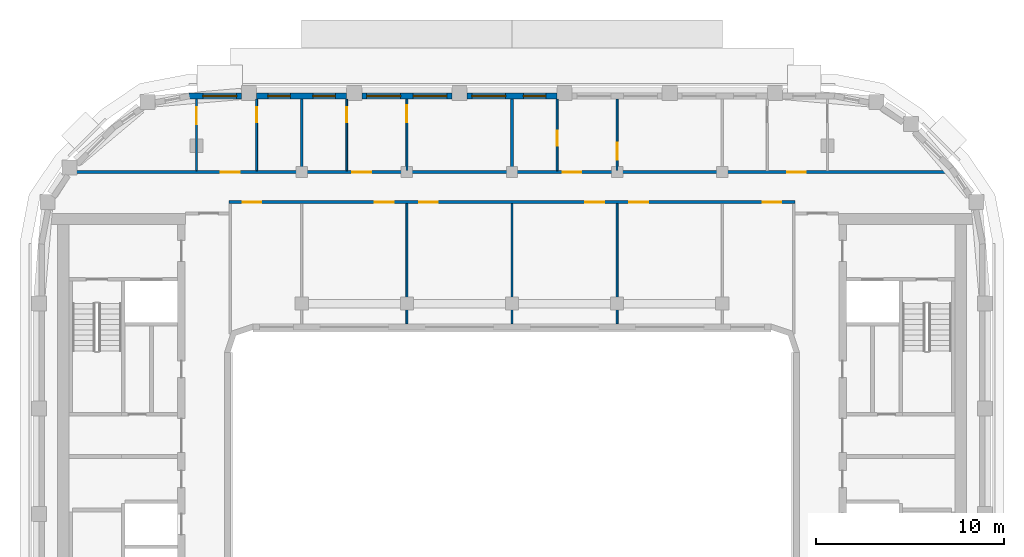
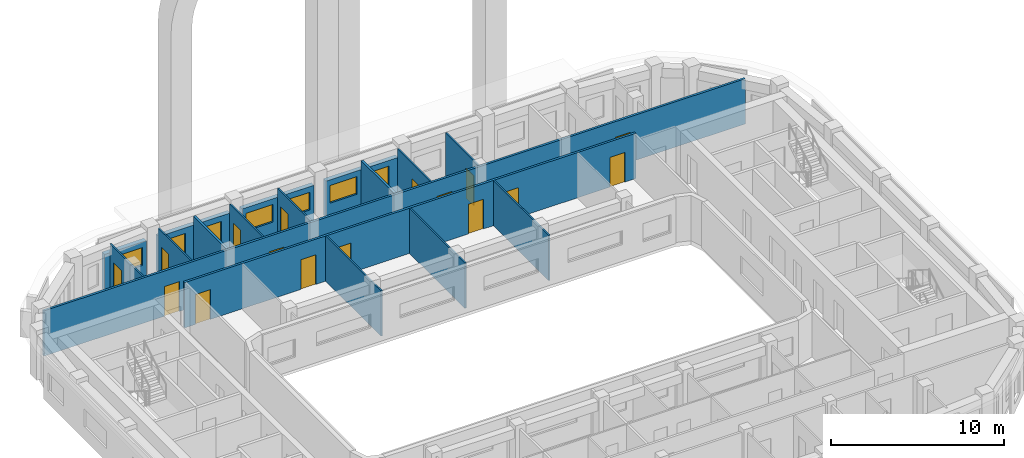
# One storey, part 7 of 18: 17 walls, 16 doors, 7 windows, 23 openings.
"""IFC4 building model written with IfcOpenShell, lengths in metres."""

from ifc_helpers import new_model, si_unit, direction, frame, frame_2d, origin, place, context, subcontext, project, spatial, rectangle, extrude, material, layer, layer_set, type_object, element, fill, save


model = new_model("IFC4")

# Units and contexts
model_context = context("Model", 3, precision=1e-05, world=origin(), true_north=direction((0.0, 1.0)))
body_context = subcontext(model_context, "Body", "Model", "MODEL_VIEW")
ifc_project = project(units=[si_unit("LENGTHUNIT", "METRE"), si_unit("AREAUNIT", "SQUARE_METRE"), si_unit("VOLUMEUNIT", "CUBIC_METRE"), si_unit("PLANEANGLEUNIT", "RADIAN"), si_unit("MASSUNIT", "GRAM", prefix="KILO")], contexts=[model_context])

# Site, building, storey
site_placement = place(None, origin())
site = spatial("IfcSite", under=ifc_project, at=site_placement, CompositionType="ELEMENT")
building_placement = place(site_placement, origin())
building = spatial("IfcBuilding", under=site, at=building_placement, Name="Kiln Ring Residences", CompositionType="ELEMENT")
storey_placement = place(building_placement, frame((0.0, 0.0, 262.699951171875)))
storey = spatial("IfcBuildingStorey", under=building, at=storey_placement, Name="L68", CompositionType="ELEMENT", Elevation=262.699951171875)

# Wall, openings, windows
ifc_material_1 = material(Name="Brick masonry, dark clay brick", Category="masonry")
ifc_layer_1 = layer(ifc_material_1, 0.300048828125)
ifc_layer_set_1 = layer_set([ifc_layer_1], Name="EW-300 BRICK WALL")
wall_type_1 = type_object("IfcWallType", Name="EW-300 BRICK WALL", PredefinedType="SOLIDWALL", material=ifc_layer_set_1)
wall_1_placement = place(storey_placement, frame((2.39990234375, 19.449951171875, 0.0), z_axis=(0.0, 0.0, 1.0), x_axis=(-1.0, 0.0, 0.0)))
wall_1 = element("IfcWall", 1, at=wall_1_placement, inside=storey, type_object=wall_type_1, Name="Facade wall L68 29", PredefinedType="SOLIDWALL", context=body_context, shape_type="SweptSolid", body=[
    extrude(rectangle(XDim=4.7998046875, YDim=0.300048828125, at=frame_2d((2.39990234375, 0.0))), origin(), (0.0, 0.0, 1.0), 2.550048828125),
])
opening_1_placement = place(wall_1_placement, frame((0.60009765625, 0.0, 0.60009765625)))
opening_1 = element("IfcOpeningElement", 2, at=opening_1_placement, cuts=wall_1, Name="Opening W1", PredefinedType="OPENING", context=body_context, shape_type="SweptSolid", body=[
    extrude(rectangle(XDim=1.199951171875, YDim=1.550048828125, at=frame_2d((0.60009765625, 0.77490234375))), frame((0.0, 0.159912109375, 0.0), z_axis=(0.0, -1.0, 0.0), x_axis=(1.0, 0.0, 0.0)), (0.0, 0.0, 1.0), 0.320068359375),
])
opening_2_placement = place(wall_1_placement, frame((2.737548828125, 0.0, 0.89990234375)))
opening_2 = element("IfcOpeningElement", 3, at=opening_2_placement, cuts=wall_1, Name="Opening W2", PredefinedType="OPENING", context=body_context, shape_type="SweptSolid", body=[
    extrude(rectangle(XDim=1.800048828125, YDim=1.25, at=frame_2d((0.89990234375, 0.625))), frame((0.0, 0.159912109375, 0.0), z_axis=(0.0, -1.0, 0.0), x_axis=(1.0, 0.0, 0.0)), (0.0, 0.0, 1.0), 0.320068359375),
])
ifc_material_2 = material(Name="Aluminium frame with double glazing", Category="aluminium")
window_type_1 = type_object("IfcWindowType", Name="WINDOW 1200 x 1550", PartitioningType="SINGLE_PANEL", PredefinedType="WINDOW", material=ifc_material_2)
window_1_placement = place(opening_1_placement, origin())
window_1 = element("IfcWindow", 4, at=window_1_placement, inside=storey, type_object=window_type_1, Name="Window L68 26", OverallHeight=1.550048828125, OverallWidth=1.199951171875, PartitioningType="SINGLE_PANEL", PredefinedType="WINDOW", context=body_context, shape_type="SweptSolid", body=[
    extrude(rectangle(XDim=1.199951171875, YDim=1.550048828125, at=frame_2d((0.60009765625, 0.77490234375))), frame((0.0, 0.030029296875, 0.0), z_axis=(0.0, -1.0, 0.0), x_axis=(1.0, 0.0, 0.0)), (0.0, 0.0, 1.0), 0.06005859375),
])
fill(opening_1, window_1)
ifc_material_3 = material(Name="Aluminium frame with double glazing", Category="aluminium")
window_type_2 = type_object("IfcWindowType", Name="WINDOW 1800 x 1250", PartitioningType="SINGLE_PANEL", PredefinedType="WINDOW", material=ifc_material_3)
window_2_placement = place(opening_2_placement, origin())
window_2 = element("IfcWindow", 5, at=window_2_placement, inside=storey, type_object=window_type_2, Name="Window L68 27", OverallHeight=1.25, OverallWidth=1.800048828125, PartitioningType="SINGLE_PANEL", PredefinedType="WINDOW", context=body_context, shape_type="SweptSolid", body=[
    extrude(rectangle(XDim=1.800048828125, YDim=1.25, at=frame_2d((0.89990234375, 0.625))), frame((0.0, 0.030029296875, 0.0), z_axis=(0.0, -1.0, 0.0), x_axis=(1.0, 0.0, 0.0)), (0.0, 0.0, 1.0), 0.06005859375),
])
fill(opening_2, window_2)

wall_2_placement = place(storey_placement, frame((-3.199951171875, 19.449951171875, 0.0), z_axis=(0.0, 0.0, 1.0), x_axis=(-1.0, 0.0, 0.0)))
wall_2 = element("IfcWall", 6, at=wall_2_placement, inside=storey, type_object=wall_type_1, Name="Facade wall L68 30", PredefinedType="SOLIDWALL", context=body_context, shape_type="SweptSolid", body=[
    extrude(rectangle(XDim=4.800048828125, YDim=0.300048828125, at=frame_2d((2.39990234375, 0.0))), origin(), (0.0, 0.0, 1.0), 2.550048828125),
])
opening_3_placement = place(wall_2_placement, frame((0.262451171875, 0.0, 0.89990234375)))
opening_3 = element("IfcOpeningElement", 7, at=opening_3_placement, cuts=wall_2, Name="Opening W2", PredefinedType="OPENING", context=body_context, shape_type="SweptSolid", body=[
    extrude(rectangle(XDim=1.800048828125, YDim=1.25, at=frame_2d((0.89990234375, 0.625))), frame((0.0, 0.159912109375, 0.0), z_axis=(0.0, -1.0, 0.0), x_axis=(1.0, 0.0, 0.0)), (0.0, 0.0, 1.0), 0.320068359375),
])
opening_4_placement = place(wall_2_placement, frame((2.737548828125, 0.0, 0.89990234375)))
opening_4 = element("IfcOpeningElement", 8, at=opening_4_placement, cuts=wall_2, Name="Opening W2", PredefinedType="OPENING", context=body_context, shape_type="SweptSolid", body=[
    extrude(rectangle(XDim=1.800048828125, YDim=1.25, at=frame_2d((0.89990234375, 0.625))), frame((0.0, 0.159912109375, 0.0), z_axis=(0.0, -1.0, 0.0), x_axis=(1.0, 0.0, 0.0)), (0.0, 0.0, 1.0), 0.320068359375),
])
window_3_placement = place(opening_3_placement, origin())
window_3 = element("IfcWindow", 9, at=window_3_placement, inside=storey, type_object=window_type_2, Name="Window L68 28", OverallHeight=1.25, OverallWidth=1.800048828125, PartitioningType="SINGLE_PANEL", PredefinedType="WINDOW", context=body_context, shape_type="SweptSolid", body=[
    extrude(rectangle(XDim=1.800048828125, YDim=1.25, at=frame_2d((0.89990234375, 0.625))), frame((0.0, 0.030029296875, 0.0), z_axis=(0.0, -1.0, 0.0), x_axis=(1.0, 0.0, 0.0)), (0.0, 0.0, 1.0), 0.06005859375),
])
fill(opening_3, window_3)
window_4_placement = place(opening_4_placement, origin())
window_4 = element("IfcWindow", 10, at=window_4_placement, inside=storey, type_object=window_type_2, Name="Window L68 29", OverallHeight=1.25, OverallWidth=1.800048828125, PartitioningType="SINGLE_PANEL", PredefinedType="WINDOW", context=body_context, shape_type="SweptSolid", body=[
    extrude(rectangle(XDim=1.800048828125, YDim=1.25, at=frame_2d((0.89990234375, 0.625))), frame((0.0, 0.030029296875, 0.0), z_axis=(0.0, -1.0, 0.0), x_axis=(1.0, 0.0, 0.0)), (0.0, 0.0, 1.0), 0.06005859375),
])
fill(opening_4, window_4)

wall_3_placement = place(storey_placement, frame((-8.800048828125, 19.449951171875, 0.0), z_axis=(0.0, 0.0, 1.0), x_axis=(-1.0, 0.0, 0.0)))
wall_3 = element("IfcWall", 11, at=wall_3_placement, inside=storey, type_object=wall_type_1, Name="Facade wall L68 31", PredefinedType="SOLIDWALL", context=body_context, shape_type="SweptSolid", body=[
    extrude(rectangle(XDim=4.800048828125, YDim=0.300048828125, at=frame_2d((2.39990234375, 0.0))), origin(), (0.0, 0.0, 1.0), 2.550048828125),
])
opening_5_placement = place(wall_3_placement, frame((0.60009765625, 0.0, 0.60009765625)))
opening_5 = element("IfcOpeningElement", 12, at=opening_5_placement, cuts=wall_3, Name="Opening W1", PredefinedType="OPENING", context=body_context, shape_type="SweptSolid", body=[
    extrude(rectangle(XDim=1.199951171875, YDim=1.550048828125, at=frame_2d((0.60009765625, 0.77490234375))), frame((0.0, 0.159912109375, 0.0), z_axis=(0.0, -1.0, 0.0), x_axis=(1.0, 0.0, 0.0)), (0.0, 0.0, 1.0), 0.320068359375),
])
opening_6_placement = place(wall_3_placement, frame((3.0, 0.0, 0.60009765625)))
opening_6 = element("IfcOpeningElement", 13, at=opening_6_placement, cuts=wall_3, Name="Opening W1", PredefinedType="OPENING", context=body_context, shape_type="SweptSolid", body=[
    extrude(rectangle(XDim=1.199951171875, YDim=1.550048828125, at=frame_2d((0.60009765625, 0.77490234375))), frame((0.0, 0.159912109375, 0.0), z_axis=(0.0, -1.0, 0.0), x_axis=(1.0, 0.0, 0.0)), (0.0, 0.0, 1.0), 0.320068359375),
])
window_5_placement = place(opening_5_placement, origin())
window_5 = element("IfcWindow", 14, at=window_5_placement, inside=storey, type_object=window_type_1, Name="Window L68 30", OverallHeight=1.550048828125, OverallWidth=1.199951171875, PartitioningType="SINGLE_PANEL", PredefinedType="WINDOW", context=body_context, shape_type="SweptSolid", body=[
    extrude(rectangle(XDim=1.199951171875, YDim=1.550048828125, at=frame_2d((0.60009765625, 0.77490234375))), frame((0.0, 0.030029296875, 0.0), z_axis=(0.0, -1.0, 0.0), x_axis=(1.0, 0.0, 0.0)), (0.0, 0.0, 1.0), 0.06005859375),
])
fill(opening_5, window_5)
window_6_placement = place(opening_6_placement, origin())
window_6 = element("IfcWindow", 15, at=window_6_placement, inside=storey, type_object=window_type_1, Name="Window L68 31", OverallHeight=1.550048828125, OverallWidth=1.199951171875, PartitioningType="SINGLE_PANEL", PredefinedType="WINDOW", context=body_context, shape_type="SweptSolid", body=[
    extrude(rectangle(XDim=1.199951171875, YDim=1.550048828125, at=frame_2d((0.60009765625, 0.77490234375))), frame((0.0, 0.030029296875, 0.0), z_axis=(0.0, -1.0, 0.0), x_axis=(1.0, 0.0, 0.0)), (0.0, 0.0, 1.0), 0.06005859375),
])
fill(opening_6, window_6)

# Wall, opening, window
wall_4_placement = place(storey_placement, frame((-14.39990234375, 19.449951171875, 0.0), z_axis=(0.0, 0.0, 1.0), x_axis=(-1.0, 0.0, 0.0)))
wall_4 = element("IfcWall", 16, at=wall_4_placement, inside=storey, type_object=wall_type_1, Name="Facade wall L68 32", PredefinedType="SOLIDWALL", context=body_context, shape_type="SweptSolid", body=[
    extrude(rectangle(XDim=2.800048828125, YDim=0.300048828125, at=frame_2d((1.39990234375, 0.0))), origin(), (0.0, 0.0, 1.0), 2.550048828125),
])
opening_7_placement = place(wall_4_placement, frame((0.262451171875, 0.0, 0.89990234375)))
opening_7 = element("IfcOpeningElement", 17, at=opening_7_placement, cuts=wall_4, Name="Opening W2", PredefinedType="OPENING", context=body_context, shape_type="SweptSolid", body=[
    extrude(rectangle(XDim=1.800048828125, YDim=1.25, at=frame_2d((0.89990234375, 0.625))), frame((0.0, 0.159912109375, 0.0), z_axis=(0.0, -1.0, 0.0), x_axis=(1.0, 0.0, 0.0)), (0.0, 0.0, 1.0), 0.320068359375),
])
window_7_placement = place(opening_7_placement, origin())
window_7 = element("IfcWindow", 18, at=window_7_placement, inside=storey, type_object=window_type_2, Name="Window L68 32", OverallHeight=1.25, OverallWidth=1.800048828125, PartitioningType="SINGLE_PANEL", PredefinedType="WINDOW", context=body_context, shape_type="SweptSolid", body=[
    extrude(rectangle(XDim=1.800048828125, YDim=1.25, at=frame_2d((0.89990234375, 0.625))), frame((0.0, 0.030029296875, 0.0), z_axis=(0.0, -1.0, 0.0), x_axis=(1.0, 0.0, 0.0)), (0.0, 0.0, 1.0), 0.06005859375),
])
fill(opening_7, window_7)

# Wall, opening, door
ifc_material_4 = material(Name="Gypsum board on steel studs", Category="steel")
ifc_layer_2 = layer(ifc_material_4, 0.10009765625)
ifc_layer_set_2 = layer_set([ifc_layer_2], Name="PARTITION-100")
wall_type_2 = type_object("IfcWallType", Name="PARTITION-100", PredefinedType="PARTITIONING", material=ifc_layer_set_2)
wall_5_placement = place(storey_placement, frame((-16.800048828125, 15.47509765625, 0.0), z_axis=(0.0, 0.0, 1.0), x_axis=(0.0, 1.0, 0.0)))
wall_5 = element("IfcWall", 19, at=wall_5_placement, inside=storey, type_object=wall_type_2, Name="Partition 010", PredefinedType="PARTITIONING", context=body_context, shape_type="SweptSolid", body=[
    extrude(rectangle(XDim=3.804931640625, YDim=0.10009765625, at=frame_2d((1.90234375, 0.0))), origin(), (0.0, 0.0, 1.0), 3.199951171875),
])
opening_8_placement = place(wall_5_placement, frame((2.485107421875, 0.0, 0.0)))
opening_8 = element("IfcOpeningElement", 20, at=opening_8_placement, cuts=wall_5, Name="Opening L68-D013", PredefinedType="OPENING", context=body_context, shape_type="SweptSolid", body=[
    extrude(rectangle(XDim=0.89990234375, YDim=2.10009765625, at=frame_2d((0.449951171875, 1.050048828125))), frame((0.0, 0.06005859375, 0.0), z_axis=(0.0, -1.0, 0.0), x_axis=(1.0, 0.0, 0.0)), (0.0, 0.0, 1.0), 0.1201171875),
])
ifc_material_5 = material(Name="Timber door leaf", Category="wood")
door_type_1 = type_object("IfcDoorType", Name="FLAT-DOOR-900-PL", OperationType="SINGLE_SWING_LEFT", PredefinedType="DOOR", material=ifc_material_5)
door_1_placement = place(opening_8_placement, origin())
door_1 = element("IfcDoor", 21, at=door_1_placement, inside=storey, type_object=door_type_1, Name="Door L68-D013", OperationType="SINGLE_SWING_LEFT", OverallHeight=2.10009765625, OverallWidth=0.89990234375, PredefinedType="DOOR", context=body_context, shape_type="SweptSolid", body=[
    extrude(rectangle(XDim=0.89990234375, YDim=2.10009765625, at=frame_2d((0.449951171875, 1.050048828125))), frame((0.0, 0.02490234375, 0.0), z_axis=(0.0, -1.0, 0.0), x_axis=(1.0, 0.0, 0.0)), (0.0, 0.0, 1.0), 0.050048828125),
])
fill(opening_8, door_1)

wall_6_placement = place(storey_placement, frame((-13.60009765625, 15.47509765625, 0.0), z_axis=(0.0, 0.0, 1.0), x_axis=(0.0, 1.0, 0.0)))
wall_6 = element("IfcWall", 22, at=wall_6_placement, inside=storey, type_object=wall_type_2, Name="Partition 013", PredefinedType="PARTITIONING", context=body_context, shape_type="SweptSolid", body=[
    extrude(rectangle(XDim=3.804931640625, YDim=0.10009765625, at=frame_2d((1.90234375, 0.0))), origin(), (0.0, 0.0, 1.0), 3.199951171875),
])
opening_9_placement = place(wall_6_placement, frame((2.575927734375, 0.0, 0.0)))
opening_9 = element("IfcOpeningElement", 23, at=opening_9_placement, cuts=wall_6, Name="Opening L68-D012", PredefinedType="OPENING", context=body_context, shape_type="SweptSolid", body=[
    extrude(rectangle(XDim=0.800048828125, YDim=2.10009765625, at=frame_2d((0.39990234375, 1.050048828125))), frame((0.0, 0.06005859375, 0.0), z_axis=(0.0, -1.0, 0.0), x_axis=(1.0, 0.0, 0.0)), (0.0, 0.0, 1.0), 0.1201171875),
])
ifc_material_6 = material(Name="Timber door leaf", Category="wood")
door_type_2 = type_object("IfcDoorType", Name="FLAT-DOOR-800-PL", OperationType="SINGLE_SWING_LEFT", PredefinedType="DOOR", material=ifc_material_6)
door_2_placement = place(opening_9_placement, origin())
door_2 = element("IfcDoor", 24, at=door_2_placement, inside=storey, type_object=door_type_2, Name="Door L68-D012", OperationType="SINGLE_SWING_RIGHT", OverallHeight=2.10009765625, OverallWidth=0.800048828125, PredefinedType="DOOR", context=body_context, shape_type="SweptSolid", body=[
    extrude(rectangle(XDim=0.800048828125, YDim=2.10009765625, at=frame_2d((0.39990234375, 1.050048828125))), frame((0.0, 0.02490234375, 0.0), z_axis=(0.0, -1.0, 0.0), x_axis=(1.0, 0.0, 0.0)), (0.0, 0.0, 1.0), 0.050048828125),
])
fill(opening_9, door_2)

wall_7_placement = place(storey_placement, frame((-8.800048828125, 15.47509765625, 0.0), z_axis=(0.0, 0.0, 1.0), x_axis=(0.0, 1.0, 0.0)))
wall_7 = element("IfcWall", 25, at=wall_7_placement, inside=storey, type_object=wall_type_2, Name="Partition 019", PredefinedType="PARTITIONING", context=body_context, shape_type="SweptSolid", body=[
    extrude(rectangle(XDim=3.804931640625, YDim=0.10009765625, at=frame_2d((1.90234375, 0.0))), origin(), (0.0, 0.0, 1.0), 3.199951171875),
])
opening_10_placement = place(wall_7_placement, frame((2.5849609375, 0.0, 0.0)))
opening_10 = element("IfcOpeningElement", 26, at=opening_10_placement, cuts=wall_7, Name="Opening L68-D015", PredefinedType="OPENING", context=body_context, shape_type="SweptSolid", body=[
    extrude(rectangle(XDim=0.800048828125, YDim=2.10009765625, at=frame_2d((0.39990234375, 1.050048828125))), frame((0.0, 0.06005859375, 0.0), z_axis=(0.0, -1.0, 0.0), x_axis=(1.0, 0.0, 0.0)), (0.0, 0.0, 1.0), 0.1201171875),
])
door_3_placement = place(opening_10_placement, origin())
door_3 = element("IfcDoor", 27, at=door_3_placement, inside=storey, type_object=door_type_2, Name="Door L68-D015", OperationType="SINGLE_SWING_LEFT", OverallHeight=2.10009765625, OverallWidth=0.800048828125, PredefinedType="DOOR", context=body_context, shape_type="SweptSolid", body=[
    extrude(rectangle(XDim=0.800048828125, YDim=2.10009765625, at=frame_2d((0.39990234375, 1.050048828125))), frame((0.0, 0.02490234375, 0.0), z_axis=(0.0, -1.0, 0.0), x_axis=(1.0, 0.0, 0.0)), (0.0, 0.0, 1.0), 0.050048828125),
])
fill(opening_10, door_3)

# Wall
wall_8_placement = place(storey_placement, frame((-5.60009765625, 7.320068359375, 0.0), z_axis=(0.0, 0.0, 1.0), x_axis=(0.0, 1.0, 0.0)))
element("IfcWall", 28, at=wall_8_placement, inside=storey, type_object=wall_type_2, Name="Partition 021", PredefinedType="PARTITIONING", context=body_context, shape_type="SweptSolid", body=[
    extrude(rectangle(XDim=6.405029296875, YDim=0.10009765625, at=frame_2d((3.20263671875, 0.0))), origin(), (0.0, 0.0, 1.0), 3.199951171875),
])

# Wall, opening, door
wall_9_placement = place(storey_placement, frame((-5.60009765625, 15.47509765625, 0.0), z_axis=(0.0, 0.0, 1.0), x_axis=(0.0, 1.0, 0.0)))
wall_9 = element("IfcWall", 29, at=wall_9_placement, inside=storey, type_object=wall_type_2, Name="Partition 022", PredefinedType="PARTITIONING", context=body_context, shape_type="SweptSolid", body=[
    extrude(rectangle(XDim=3.804931640625, YDim=0.10009765625, at=frame_2d((1.90234375, 0.0))), origin(), (0.0, 0.0, 1.0), 3.199951171875),
])
opening_11_placement = place(wall_9_placement, frame((2.575927734375, 0.0, 0.0)))
opening_11 = element("IfcOpeningElement", 30, at=opening_11_placement, cuts=wall_9, Name="Opening L68-D016", PredefinedType="OPENING", context=body_context, shape_type="SweptSolid", body=[
    extrude(rectangle(XDim=0.89990234375, YDim=2.10009765625, at=frame_2d((0.449951171875, 1.050048828125))), frame((0.0, 0.06005859375, 0.0), z_axis=(0.0, -1.0, 0.0), x_axis=(1.0, 0.0, 0.0)), (0.0, 0.0, 1.0), 0.1201171875),
])
door_4_placement = place(opening_11_placement, origin())
door_4 = element("IfcDoor", 31, at=door_4_placement, inside=storey, type_object=door_type_1, Name="Door L68-D016", OperationType="SINGLE_SWING_RIGHT", OverallHeight=2.10009765625, OverallWidth=0.89990234375, PredefinedType="DOOR", context=body_context, shape_type="SweptSolid", body=[
    extrude(rectangle(XDim=0.89990234375, YDim=2.10009765625, at=frame_2d((0.449951171875, 1.050048828125))), frame((0.0, 0.02490234375, 0.0), z_axis=(0.0, -1.0, 0.0), x_axis=(1.0, 0.0, 0.0)), (0.0, 0.0, 1.0), 0.050048828125),
])
fill(opening_11, door_4)

# Wall
wall_10_placement = place(storey_placement, frame((0.0, 7.320068359375, 0.0), z_axis=(0.0, 0.0, 1.0), x_axis=(0.0, 1.0, 0.0)))
element("IfcWall", 32, at=wall_10_placement, inside=storey, type_object=wall_type_2, Name="Partition 028", PredefinedType="PARTITIONING", context=body_context, shape_type="SweptSolid", body=[
    extrude(rectangle(XDim=6.405029296875, YDim=0.10009765625, at=frame_2d((3.20263671875, 0.0))), origin(), (0.0, 0.0, 1.0), 3.199951171875),
])

# Wall, opening, door
wall_11_placement = place(storey_placement, frame((2.39990234375, 15.47509765625, 0.0), z_axis=(0.0, 0.0, 1.0), x_axis=(0.0, 1.0, 0.0)))
wall_11 = element("IfcWall", 33, at=wall_11_placement, inside=storey, type_object=wall_type_2, Name="Partition 032", PredefinedType="PARTITIONING", context=body_context, shape_type="SweptSolid", body=[
    extrude(rectangle(XDim=3.804931640625, YDim=0.10009765625, at=frame_2d((1.90234375, 0.0))), origin(), (0.0, 0.0, 1.0), 3.199951171875),
])
opening_12_placement = place(wall_11_placement, frame((1.3349609375, 0.0, 0.0)))
opening_12 = element("IfcOpeningElement", 34, at=opening_12_placement, cuts=wall_11, Name="Opening L68-D018", PredefinedType="OPENING", context=body_context, shape_type="SweptSolid", body=[
    extrude(rectangle(XDim=0.800048828125, YDim=2.10009765625, at=frame_2d((0.39990234375, 1.050048828125))), frame((0.0, 0.06005859375, 0.0), z_axis=(0.0, -1.0, 0.0), x_axis=(1.0, 0.0, 0.0)), (0.0, 0.0, 1.0), 0.1201171875),
])
door_5_placement = place(opening_12_placement, origin())
door_5 = element("IfcDoor", 35, at=door_5_placement, inside=storey, type_object=door_type_2, Name="Door L68-D018", OperationType="SINGLE_SWING_RIGHT", OverallHeight=2.10009765625, OverallWidth=0.800048828125, PredefinedType="DOOR", context=body_context, shape_type="SweptSolid", body=[
    extrude(rectangle(XDim=0.800048828125, YDim=2.10009765625, at=frame_2d((0.39990234375, 1.050048828125))), frame((0.0, 0.02490234375, 0.0), z_axis=(0.0, -1.0, 0.0), x_axis=(1.0, 0.0, 0.0)), (0.0, 0.0, 1.0), 0.050048828125),
])
fill(opening_12, door_5)

# Wall
wall_12_placement = place(storey_placement, frame((5.60009765625, 7.320068359375, 0.0), z_axis=(0.0, 0.0, 1.0), x_axis=(0.0, 1.0, 0.0)))
element("IfcWall", 36, at=wall_12_placement, inside=storey, type_object=wall_type_2, Name="Partition 037", PredefinedType="PARTITIONING", context=body_context, shape_type="SweptSolid", body=[
    extrude(rectangle(XDim=6.405029296875, YDim=0.10009765625, at=frame_2d((3.20263671875, 0.0))), origin(), (0.0, 0.0, 1.0), 3.199951171875),
])

# Wall, opening, door
wall_13_placement = place(storey_placement, frame((5.60009765625, 15.47509765625, 0.0), z_axis=(0.0, 0.0, 1.0), x_axis=(0.0, 1.0, 0.0)))
wall_13 = element("IfcWall", 37, at=wall_13_placement, inside=storey, type_object=wall_type_2, Name="Partition 038", PredefinedType="PARTITIONING", context=body_context, shape_type="SweptSolid", body=[
    extrude(rectangle(XDim=3.804931640625, YDim=0.10009765625, at=frame_2d((1.90234375, 0.0))), origin(), (0.0, 0.0, 1.0), 3.199951171875),
])
opening_13_placement = place(wall_13_placement, frame((0.575927734375, 0.0, 0.0)))
opening_13 = element("IfcOpeningElement", 38, at=opening_13_placement, cuts=wall_13, Name="Opening L68-D019", PredefinedType="OPENING", context=body_context, shape_type="SweptSolid", body=[
    extrude(rectangle(XDim=0.89990234375, YDim=2.10009765625, at=frame_2d((0.449951171875, 1.050048828125))), frame((0.0, 0.06005859375, 0.0), z_axis=(0.0, -1.0, 0.0), x_axis=(1.0, 0.0, 0.0)), (0.0, 0.0, 1.0), 0.1201171875),
])
door_6_placement = place(opening_13_placement, origin())
door_6 = element("IfcDoor", 39, at=door_6_placement, inside=storey, type_object=door_type_1, Name="Door L68-D019", OperationType="SINGLE_SWING_LEFT", OverallHeight=2.10009765625, OverallWidth=0.89990234375, PredefinedType="DOOR", context=body_context, shape_type="SweptSolid", body=[
    extrude(rectangle(XDim=0.89990234375, YDim=2.10009765625, at=frame_2d((0.449951171875, 1.050048828125))), frame((0.0, 0.02490234375, 0.0), z_axis=(0.0, -1.0, 0.0), x_axis=(1.0, 0.0, 0.0)), (0.0, 0.0, 1.0), 0.050048828125),
])
fill(opening_13, door_6)

# Wall, openings, doors
ifc_material_7 = material(Name="Brick masonry partition", Category="masonry")
ifc_layer_3 = layer(ifc_material_7, 0.14990234375)
ifc_layer_set_3 = layer_set([ifc_layer_3], Name="PARTITION-150-ei60")
wall_type_3 = type_object("IfcWallType", Name="PARTITION-150-ei60", PredefinedType="PARTITIONING", material=ifc_layer_set_3)
wall_14_placement = place(storey_placement, frame((-15.074951171875, 13.800048828125, 0.0), z_axis=(0.0, 0.0, 1.0), x_axis=(1.0, 0.0, 0.0)))
wall_14 = element("IfcWall", 40, at=wall_14_placement, inside=storey, type_object=wall_type_3, Name="Partition 007", PredefinedType="PARTITIONING", context=body_context, shape_type="SweptSolid", body=[
    extrude(rectangle(XDim=30.14990234375, YDim=0.14990234375, at=frame_2d((15.074951171875, 0.0))), origin(), (0.0, 0.0, 1.0), 3.199951171875),
])
opening_14_placement = place(wall_14_placement, frame((0.72607421875, 0.0, 0.0)))
opening_14 = element("IfcOpeningElement", 41, at=opening_14_placement, cuts=wall_14, Name="Opening L68-D005", PredefinedType="OPENING", context=body_context, shape_type="SweptSolid", body=[
    extrude(rectangle(XDim=1.0, YDim=2.10009765625, at=frame_2d((0.5, 1.050048828125))), frame((0.0, 0.0849609375, 0.0), z_axis=(0.0, -1.0, 0.0), x_axis=(1.0, 0.0, 0.0)), (0.0, 0.0, 1.0), 0.169921875),
])
opening_15_placement = place(wall_14_placement, frame((7.77490234375, 0.0, 0.0)))
opening_15 = element("IfcOpeningElement", 42, at=opening_15_placement, cuts=wall_14, Name="Opening L68-D006", PredefinedType="OPENING", context=body_context, shape_type="SweptSolid", body=[
    extrude(rectangle(XDim=1.0, YDim=2.10009765625, at=frame_2d((0.5, 1.050048828125))), frame((0.0, 0.0849609375, 0.0), z_axis=(0.0, -1.0, 0.0), x_axis=(1.0, 0.0, 0.0)), (0.0, 0.0, 1.0), 0.169921875),
])
opening_16_placement = place(wall_14_placement, frame((10.125, 0.0, 0.0)))
opening_16 = element("IfcOpeningElement", 43, at=opening_16_placement, cuts=wall_14, Name="Opening L68-D007", PredefinedType="OPENING", context=body_context, shape_type="SweptSolid", body=[
    extrude(rectangle(XDim=1.0, YDim=2.10009765625, at=frame_2d((0.5, 1.050048828125))), frame((0.0, 0.0849609375, 0.0), z_axis=(0.0, -1.0, 0.0), x_axis=(1.0, 0.0, 0.0)), (0.0, 0.0, 1.0), 0.169921875),
])
opening_17_placement = place(wall_14_placement, frame((18.97509765625, 0.0, 0.0)))
opening_17 = element("IfcOpeningElement", 44, at=opening_17_placement, cuts=wall_14, Name="Opening L68-D008", PredefinedType="OPENING", context=body_context, shape_type="SweptSolid", body=[
    extrude(rectangle(XDim=1.0, YDim=2.10009765625, at=frame_2d((0.5, 1.050048828125))), frame((0.0, 0.0849609375, 0.0), z_axis=(0.0, -1.0, 0.0), x_axis=(1.0, 0.0, 0.0)), (0.0, 0.0, 1.0), 0.169921875),
])
opening_18_placement = place(wall_14_placement, frame((21.324951171875, 0.0, 0.0)))
opening_18 = element("IfcOpeningElement", 45, at=opening_18_placement, cuts=wall_14, Name="Opening L68-D009", PredefinedType="OPENING", context=body_context, shape_type="SweptSolid", body=[
    extrude(rectangle(XDim=1.0, YDim=2.10009765625, at=frame_2d((0.5, 1.050048828125))), frame((0.0, 0.0849609375, 0.0), z_axis=(0.0, -1.0, 0.0), x_axis=(1.0, 0.0, 0.0)), (0.0, 0.0, 1.0), 0.169921875),
])
opening_19_placement = place(wall_14_placement, frame((28.425048828125, 0.0, 0.0)))
opening_19 = element("IfcOpeningElement", 46, at=opening_19_placement, cuts=wall_14, Name="Opening L68-D010", PredefinedType="OPENING", context=body_context, shape_type="SweptSolid", body=[
    extrude(rectangle(XDim=1.0, YDim=2.10009765625, at=frame_2d((0.5, 1.050048828125))), frame((0.0, 0.0849609375, 0.0), z_axis=(0.0, -1.0, 0.0), x_axis=(1.0, 0.0, 0.0)), (0.0, 0.0, 1.0), 0.169921875),
])
ifc_material_8 = material(Name="Steel faced fire door leaf", Category="steel")
door_type_3 = type_object("IfcDoorType", Name="FLAT-DOOR-1000-FR", OperationType="SINGLE_SWING_LEFT", PredefinedType="DOOR", material=ifc_material_8)
door_7_placement = place(opening_14_placement, origin())
door_7 = element("IfcDoor", 47, at=door_7_placement, inside=storey, type_object=door_type_3, Name="Door L68-D005", OperationType="SINGLE_SWING_LEFT", OverallHeight=2.10009765625, OverallWidth=1.0, PredefinedType="DOOR", context=body_context, shape_type="SweptSolid", body=[
    extrude(rectangle(XDim=1.0, YDim=2.10009765625, at=frame_2d((0.5, 1.050048828125))), frame((0.0, 0.02490234375, 0.0), z_axis=(0.0, -1.0, 0.0), x_axis=(1.0, 0.0, 0.0)), (0.0, 0.0, 1.0), 0.050048828125),
])
fill(opening_14, door_7)
door_8_placement = place(opening_15_placement, origin())
door_8 = element("IfcDoor", 48, at=door_8_placement, inside=storey, type_object=door_type_3, Name="Door L68-D006", OperationType="SINGLE_SWING_RIGHT", OverallHeight=2.10009765625, OverallWidth=1.0, PredefinedType="DOOR", context=body_context, shape_type="SweptSolid", body=[
    extrude(rectangle(XDim=1.0, YDim=2.10009765625, at=frame_2d((0.5, 1.050048828125))), frame((0.0, 0.02490234375, 0.0), z_axis=(0.0, -1.0, 0.0), x_axis=(1.0, 0.0, 0.0)), (0.0, 0.0, 1.0), 0.050048828125),
])
fill(opening_15, door_8)
door_9_placement = place(opening_16_placement, origin())
door_9 = element("IfcDoor", 49, at=door_9_placement, inside=storey, type_object=door_type_3, Name="Door L68-D007", OperationType="SINGLE_SWING_LEFT", OverallHeight=2.10009765625, OverallWidth=1.0, PredefinedType="DOOR", context=body_context, shape_type="SweptSolid", body=[
    extrude(rectangle(XDim=1.0, YDim=2.10009765625, at=frame_2d((0.5, 1.050048828125))), frame((0.0, 0.02490234375, 0.0), z_axis=(0.0, -1.0, 0.0), x_axis=(1.0, 0.0, 0.0)), (0.0, 0.0, 1.0), 0.050048828125),
])
fill(opening_16, door_9)
door_10_placement = place(opening_17_placement, origin())
door_10 = element("IfcDoor", 50, at=door_10_placement, inside=storey, type_object=door_type_3, Name="Door L68-D008", OperationType="SINGLE_SWING_RIGHT", OverallHeight=2.10009765625, OverallWidth=1.0, PredefinedType="DOOR", context=body_context, shape_type="SweptSolid", body=[
    extrude(rectangle(XDim=1.0, YDim=2.10009765625, at=frame_2d((0.5, 1.050048828125))), frame((0.0, 0.02490234375, 0.0), z_axis=(0.0, -1.0, 0.0), x_axis=(1.0, 0.0, 0.0)), (0.0, 0.0, 1.0), 0.050048828125),
])
fill(opening_17, door_10)
door_11_placement = place(opening_18_placement, origin())
door_11 = element("IfcDoor", 51, at=door_11_placement, inside=storey, type_object=door_type_3, Name="Door L68-D009", OperationType="SINGLE_SWING_LEFT", OverallHeight=2.10009765625, OverallWidth=1.0, PredefinedType="DOOR", context=body_context, shape_type="SweptSolid", body=[
    extrude(rectangle(XDim=1.0, YDim=2.10009765625, at=frame_2d((0.5, 1.050048828125))), frame((0.0, 0.02490234375, 0.0), z_axis=(0.0, -1.0, 0.0), x_axis=(1.0, 0.0, 0.0)), (0.0, 0.0, 1.0), 0.050048828125),
])
fill(opening_18, door_11)
door_12_placement = place(opening_19_placement, origin())
door_12 = element("IfcDoor", 52, at=door_12_placement, inside=storey, type_object=door_type_3, Name="Door L68-D010", OperationType="SINGLE_SWING_RIGHT", OverallHeight=2.10009765625, OverallWidth=1.0, PredefinedType="DOOR", context=body_context, shape_type="SweptSolid", body=[
    extrude(rectangle(XDim=1.0, YDim=2.10009765625, at=frame_2d((0.5, 1.050048828125))), frame((0.0, 0.02490234375, 0.0), z_axis=(0.0, -1.0, 0.0), x_axis=(1.0, 0.0, 0.0)), (0.0, 0.0, 1.0), 0.050048828125),
])
fill(opening_19, door_12)

wall_15_placement = place(storey_placement, frame((-23.550048828125, 15.39990234375, 0.0), z_axis=(0.0, 0.0, 1.0), x_axis=(1.0, 0.0, 0.0)))
wall_15 = element("IfcWall", 53, at=wall_15_placement, inside=storey, type_object=wall_type_3, Name="Partition 008", PredefinedType="PARTITIONING", context=body_context, shape_type="SweptSolid", body=[
    extrude(rectangle(XDim=46.8720703125, YDim=0.14990234375, at=frame_2d((23.43603515625, 0.0))), origin(), (0.0, 0.0, 1.0), 3.199951171875),
])
opening_20_placement = place(wall_15_placement, frame((8.050048828125, 0.0, 0.0)))
opening_20 = element("IfcOpeningElement", 54, at=opening_20_placement, cuts=wall_15, Name="Opening L68-D011", PredefinedType="OPENING", context=body_context, shape_type="SweptSolid", body=[
    extrude(rectangle(XDim=1.0, YDim=2.10009765625, at=frame_2d((0.5, 1.050048828125))), frame((0.0, 0.0849609375, 0.0), z_axis=(0.0, -1.0, 0.0), x_axis=(1.0, 0.0, 0.0)), (0.0, 0.0, 1.0), 0.169921875),
])
opening_21_placement = place(wall_15_placement, frame((15.050048828125, 0.0, 0.0)))
opening_21 = element("IfcOpeningElement", 55, at=opening_21_placement, cuts=wall_15, Name="Opening L68-D014", PredefinedType="OPENING", context=body_context, shape_type="SweptSolid", body=[
    extrude(rectangle(XDim=1.0, YDim=2.10009765625, at=frame_2d((0.5, 1.050048828125))), frame((0.0, 0.0849609375, 0.0), z_axis=(0.0, -1.0, 0.0), x_axis=(1.0, 0.0, 0.0)), (0.0, 0.0, 1.0), 0.169921875),
])
opening_22_placement = place(wall_15_placement, frame((26.25, 0.0, 0.0)))
opening_22 = element("IfcOpeningElement", 56, at=opening_22_placement, cuts=wall_15, Name="Opening L68-D017", PredefinedType="OPENING", context=body_context, shape_type="SweptSolid", body=[
    extrude(rectangle(XDim=1.0, YDim=2.10009765625, at=frame_2d((0.5, 1.050048828125))), frame((0.0, 0.0849609375, 0.0), z_axis=(0.0, -1.0, 0.0), x_axis=(1.0, 0.0, 0.0)), (0.0, 0.0, 1.0), 0.169921875),
])
opening_23_placement = place(wall_15_placement, frame((38.199951171875, 0.0, 0.0)))
opening_23 = element("IfcOpeningElement", 57, at=opening_23_placement, cuts=wall_15, Name="Opening L68-D020", PredefinedType="OPENING", context=body_context, shape_type="SweptSolid", body=[
    extrude(rectangle(XDim=1.0, YDim=2.10009765625, at=frame_2d((0.5, 1.050048828125))), frame((0.0, 0.0849609375, 0.0), z_axis=(0.0, -1.0, 0.0), x_axis=(1.0, 0.0, 0.0)), (0.0, 0.0, 1.0), 0.169921875),
])
door_13_placement = place(opening_20_placement, origin())
door_13 = element("IfcDoor", 58, at=door_13_placement, inside=storey, type_object=door_type_3, Name="Door L68-D011", OperationType="SINGLE_SWING_LEFT", OverallHeight=2.10009765625, OverallWidth=1.0, PredefinedType="DOOR", context=body_context, shape_type="SweptSolid", body=[
    extrude(rectangle(XDim=1.0, YDim=2.10009765625, at=frame_2d((0.5, 1.050048828125))), frame((0.0, 0.02490234375, 0.0), z_axis=(0.0, -1.0, 0.0), x_axis=(1.0, 0.0, 0.0)), (0.0, 0.0, 1.0), 0.050048828125),
])
fill(opening_20, door_13)
door_14_placement = place(opening_21_placement, origin())
door_14 = element("IfcDoor", 59, at=door_14_placement, inside=storey, type_object=door_type_3, Name="Door L68-D014", OperationType="SINGLE_SWING_RIGHT", OverallHeight=2.10009765625, OverallWidth=1.0, PredefinedType="DOOR", context=body_context, shape_type="SweptSolid", body=[
    extrude(rectangle(XDim=1.0, YDim=2.10009765625, at=frame_2d((0.5, 1.050048828125))), frame((0.0, 0.02490234375, 0.0), z_axis=(0.0, -1.0, 0.0), x_axis=(1.0, 0.0, 0.0)), (0.0, 0.0, 1.0), 0.050048828125),
])
fill(opening_21, door_14)
door_15_placement = place(opening_22_placement, origin())
door_15 = element("IfcDoor", 60, at=door_15_placement, inside=storey, type_object=door_type_3, Name="Door L68-D017", OperationType="SINGLE_SWING_RIGHT", OverallHeight=2.10009765625, OverallWidth=1.0, PredefinedType="DOOR", context=body_context, shape_type="SweptSolid", body=[
    extrude(rectangle(XDim=1.0, YDim=2.10009765625, at=frame_2d((0.5, 1.050048828125))), frame((0.0, 0.02490234375, 0.0), z_axis=(0.0, -1.0, 0.0), x_axis=(1.0, 0.0, 0.0)), (0.0, 0.0, 1.0), 0.050048828125),
])
fill(opening_22, door_15)
door_16_placement = place(opening_23_placement, origin())
door_16 = element("IfcDoor", 61, at=door_16_placement, inside=storey, type_object=door_type_3, Name="Door L68-D020", OperationType="SINGLE_SWING_RIGHT", OverallHeight=2.10009765625, OverallWidth=1.0, PredefinedType="DOOR", context=body_context, shape_type="SweptSolid", body=[
    extrude(rectangle(XDim=1.0, YDim=2.10009765625, at=frame_2d((0.5, 1.050048828125))), frame((0.0, 0.02490234375, 0.0), z_axis=(0.0, -1.0, 0.0), x_axis=(1.0, 0.0, 0.0)), (0.0, 0.0, 1.0), 0.050048828125),
])
fill(opening_23, door_16)

# Walls
for number, where, z_axis, x_axis, name in (
    (62, (-11.199951171875, 15.47509765625, 0.0), (0.0, 0.0, 1.0), (0.0, 1.0, 0.0), "Partition 018"),
    (63, (0.0, 15.47509765625, 0.0), (0.0, 0.0, 1.0), (0.0, 1.0, 0.0), "Partition 031"),
):
    element("IfcWall", number, at=place(storey_placement, frame(where, z_axis=z_axis, x_axis=x_axis)), inside=storey, type_object=wall_type_3, Name=name, PredefinedType="PARTITIONING", context=body_context, shape_type="SweptSolid", body=[
        extrude(rectangle(XDim=3.804931640625, YDim=0.14990234375, at=frame_2d((1.90234375, 0.0))), origin(), (0.0, 0.0, 1.0), 3.199951171875),
    ])

save(model, "model.ifc")
